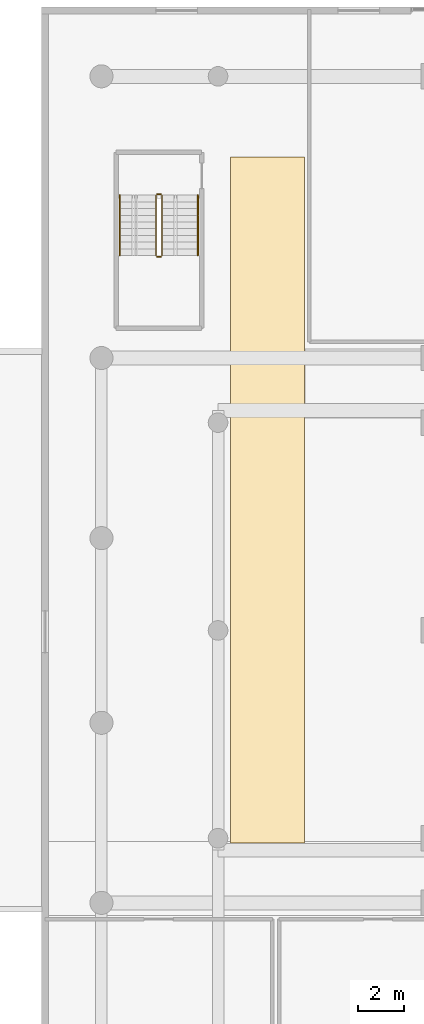
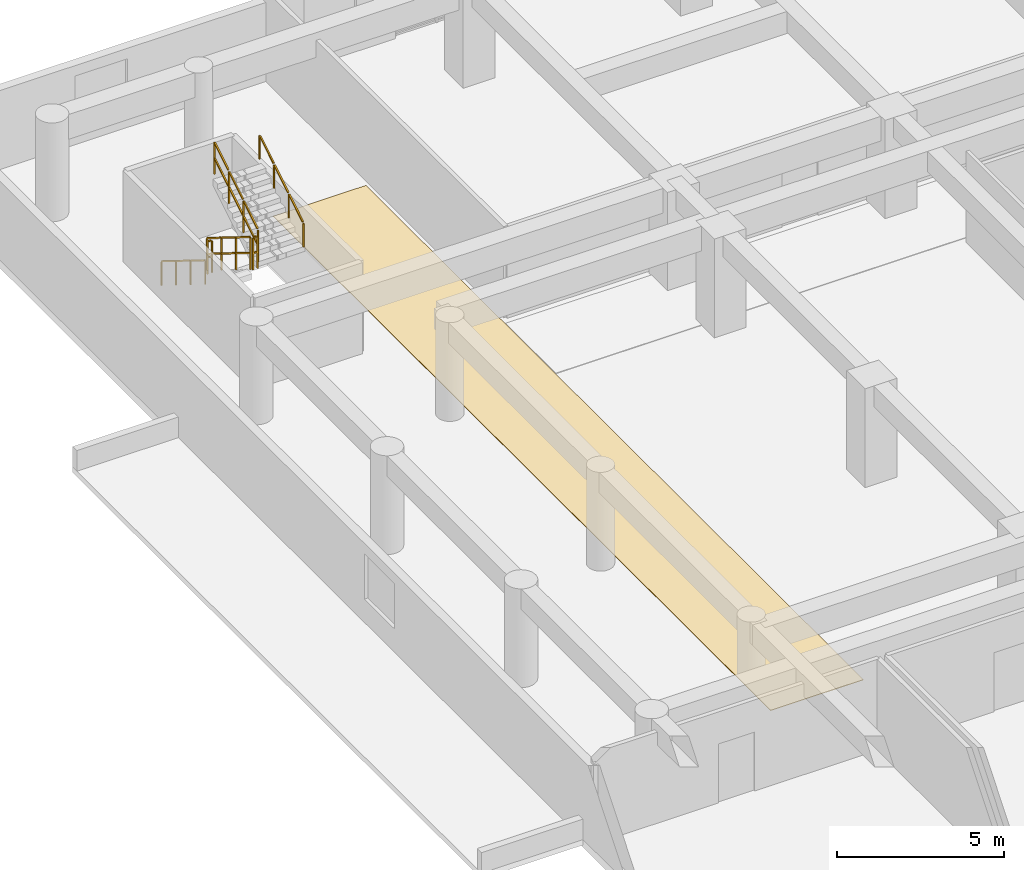
# One storey, part 24 of 27: 6 railings, 1 covering.
"""IFC4 building model written with IfcOpenShell, lengths in metres."""

from ifc_helpers import new_model, si_unit, direction, frame, origin, origin_2d, place, context, subcontext, project, spatial, polyline, rectangle, outline, extrude, material, layer, layer_set, type_object, element, save


model = new_model("IFC4")

# Units and contexts
model_context = context("Model", 3, precision=1e-05, world=origin(), true_north=direction((0.0, 1.0)))
body_context = subcontext(model_context, "Body", "Model", "MODEL_VIEW")
ifc_project = project(units=[si_unit("LENGTHUNIT", "METRE"), si_unit("AREAUNIT", "SQUARE_METRE"), si_unit("VOLUMEUNIT", "CUBIC_METRE"), si_unit("PLANEANGLEUNIT", "RADIAN"), si_unit("MASSUNIT", "GRAM", prefix="KILO")], contexts=[model_context])

# Site, building, storey
site_placement = place(None, origin())
site = spatial("IfcSite", under=ifc_project, at=site_placement, CompositionType="ELEMENT")
building_placement = place(site_placement, origin())
building = spatial("IfcBuilding", under=site, at=building_placement, Name="Saelheon Loggia Tower", CompositionType="ELEMENT")
storey_placement = place(building_placement, frame((0.0, 0.0, 4.199951171875)))
storey = spatial("IfcBuildingStorey", under=building, at=storey_placement, Name="L01", CompositionType="ELEMENT", Elevation=4.199951171875)

# Covering
ifc_material_1 = material(Name="Vitrified Porcelain Floor Tile", Category="ceramic")
ifc_layer = layer(ifc_material_1, 0.02001953125)
ifc_layer_set = layer_set([ifc_layer], Name="Vitrified Porcelain Floor Tile")
covering_type = type_object("IfcCoveringType", Name="Cov_Floor_Porcelain", PredefinedType="FLOORING", material=ifc_layer_set)
covering_placement = place(storey_placement, origin())
element("IfcCovering", 1, at=covering_placement, inside=storey, type_object=covering_type, Name="L01 Corridor Porcelain Flooring", PredefinedType="FLOORING", context=body_context, shape_type="SweptSolid", body=[
    extrude(outline(polyline([(8.199951171875, 17.800048828125), (11.39990234375, 17.800048828125), (11.39990234375, 47.5), (8.199951171875, 47.5), (8.199951171875, 17.800048828125)])), origin(), (0.0, 0.0, 1.0), 0.02001953125),
])

# Railings
ifc_material_2 = material(Name="Galvanised Steel S275 Stairwell Guardrail", Category="steel")
railing_type_1 = type_object("IfcRailingType", Name="Guard_StairWell_RL_STG", PredefinedType="GUARDRAIL", material=ifc_material_2)
railing_1_placement = place(storey_placement, frame((4.9599609375, 45.85009765625, 0.179931640625)))
element("IfcRailing", 2, at=railing_1_placement, inside=storey, type_object=railing_type_1, Name="L01 ST3 stair guard 1", PredefinedType="GUARDRAIL", context=body_context, shape_type="SweptSolid", body=[
    extrude(rectangle(XDim=0.048095703125, YDim=0.048095703125, at=origin_2d()), frame((0.0, -0.0283203125, 1.193359375), z_axis=(0.0, -0.849632798774, 0.527374731332), x_axis=(1.0, 0.0, 0.0)), (0.0, 0.0, 1.0), 0.95751953125),
    extrude(rectangle(XDim=0.048095703125, YDim=0.048095703125, at=origin_2d()), frame((0.0, -0.0283203125, 0.617431640625), z_axis=(0.0, -0.849632798774, 0.527374731332), x_axis=(1.0, 0.0, 0.0)), (0.0, 0.0, 1.0), 0.95751953125),
    extrude(rectangle(XDim=0.048095703125, YDim=0.048095703125, at=origin_2d()), frame((0.0, -0.898193359375, 1.7333984375), z_axis=(0.0, -0.849632798774, 0.527374731332), x_axis=(1.0, 0.0, 0.0)), (0.0, 0.0, 1.0), 0.95751953125),
    extrude(rectangle(XDim=0.048095703125, YDim=0.048095703125, at=origin_2d()), frame((0.0, -0.898193359375, 1.157470703125), z_axis=(0.0, -0.849632798774, 0.527374731332), x_axis=(1.0, 0.0, 0.0)), (0.0, 0.0, 1.0), 0.95751953125),
    extrude(rectangle(XDim=0.048095703125, YDim=0.048095703125, at=origin_2d()), frame((0.0, -1.768310546875, 2.2734375), z_axis=(0.0, -0.849632798774, 0.527374731332), x_axis=(1.0, 0.0, 0.0)), (0.0, 0.0, 1.0), 0.95751953125),
    extrude(rectangle(XDim=0.048095703125, YDim=0.048095703125, at=origin_2d()), frame((0.0, -1.768310546875, 1.697509765625), z_axis=(0.0, -0.849632798774, 0.527374731332), x_axis=(1.0, 0.0, 0.0)), (0.0, 0.0, 1.0), 0.95751953125),
    extrude(rectangle(XDim=0.0419921875, YDim=0.0419921875, at=origin_2d()), origin(), (0.0, 0.0, 1.0), 1.14794921875),
    extrude(rectangle(XDim=0.0419921875, YDim=0.0419921875, at=origin_2d()), frame((0.0, -0.8701171875, 0.5400390625)), (0.0, 0.0, 1.0), 1.14794921875),
    extrude(rectangle(XDim=0.0419921875, YDim=0.0419921875, at=origin_2d()), frame((0.0, -1.739990234375, 1.080078125)), (0.0, 0.0, 1.0), 1.14794921875),
    extrude(rectangle(XDim=0.0419921875, YDim=0.0419921875, at=origin_2d()), frame((0.0, -2.610107421875, 1.6201171875)), (0.0, 0.0, 1.0), 1.14794921875),
])
railing_2_placement = place(storey_placement, frame((5.010009765625, 43.18994140625, 1.800048828125)))
element("IfcRailing", 3, at=railing_2_placement, inside=storey, type_object=railing_type_1, Name="L01 ST3 stair guard 2", PredefinedType="GUARDRAIL", context=body_context, shape_type="SweptSolid", body=[
    extrude(rectangle(XDim=0.048095703125, YDim=0.048095703125, at=origin_2d()), frame((0.033203125, 0.0, 1.17578125), z_axis=(1.0, 0.0, 0.0), x_axis=(0.0, 1.0, 0.0)), (0.0, 0.0, 1.0), 0.093505859375),
    extrude(rectangle(XDim=0.048095703125, YDim=0.048095703125, at=origin_2d()), frame((0.033203125, 0.0, 0.60009765625), z_axis=(1.0, 0.0, 0.0), x_axis=(0.0, 1.0, 0.0)), (0.0, 0.0, 1.0), 0.093505859375),
    extrude(rectangle(XDim=0.0419921875, YDim=0.0419921875, at=origin_2d()), origin(), (0.0, 0.0, 1.0), 1.14794921875),
    extrude(rectangle(XDim=0.0419921875, YDim=0.0419921875, at=origin_2d()), frame((0.159912109375, 0.0, 0.0)), (0.0, 0.0, 1.0), 1.14794921875),
])
railing_3_placement = place(storey_placement, frame((5.219970703125, 43.239990234375, 1.97998046875)))
element("IfcRailing", 4, at=railing_3_placement, inside=storey, type_object=railing_type_1, Name="L01 ST3 stair guard 3", PredefinedType="GUARDRAIL", context=body_context, shape_type="SweptSolid", body=[
    extrude(rectangle(XDim=0.048095703125, YDim=0.048095703125, at=origin_2d()), frame((0.0, 0.0283203125, 1.193359375), z_axis=(0.0, 0.849632798774, 0.527374731332), x_axis=(-1.0, 0.0, 0.0)), (0.0, 0.0, 1.0), 0.95751953125),
    extrude(rectangle(XDim=0.048095703125, YDim=0.048095703125, at=origin_2d()), frame((0.0, 0.0283203125, 0.617431640625), z_axis=(0.0, 0.849632798774, 0.527374731332), x_axis=(-1.0, 0.0, 0.0)), (0.0, 0.0, 1.0), 0.95751953125),
    extrude(rectangle(XDim=0.048095703125, YDim=0.048095703125, at=origin_2d()), frame((0.0, 0.898193359375, 1.7333984375), z_axis=(0.0, 0.849632798774, 0.527374731332), x_axis=(-1.0, 0.0, 0.0)), (0.0, 0.0, 1.0), 0.95751953125),
    extrude(rectangle(XDim=0.048095703125, YDim=0.048095703125, at=origin_2d()), frame((0.0, 0.898193359375, 1.157470703125), z_axis=(0.0, 0.849632798774, 0.527374731332), x_axis=(-1.0, 0.0, 0.0)), (0.0, 0.0, 1.0), 0.95751953125),
    extrude(rectangle(XDim=0.048095703125, YDim=0.048095703125, at=origin_2d()), frame((0.0, 1.768310546875, 2.2734375), z_axis=(0.0, 0.849632798774, 0.527374731332), x_axis=(-1.0, 0.0, 0.0)), (0.0, 0.0, 1.0), 0.95751953125),
    extrude(rectangle(XDim=0.048095703125, YDim=0.048095703125, at=origin_2d()), frame((0.0, 1.768310546875, 1.697509765625), z_axis=(0.0, 0.849632798774, 0.527374731332), x_axis=(-1.0, 0.0, 0.0)), (0.0, 0.0, 1.0), 0.95751953125),
    extrude(rectangle(XDim=0.0419921875, YDim=0.0419921875, at=origin_2d()), origin(), (0.0, 0.0, 1.0), 1.14794921875),
    extrude(rectangle(XDim=0.0419921875, YDim=0.0419921875, at=origin_2d()), frame((0.0, 0.8701171875, 0.5400390625)), (0.0, 0.0, 1.0), 1.14794921875),
    extrude(rectangle(XDim=0.0419921875, YDim=0.0419921875, at=origin_2d()), frame((0.0, 1.739990234375, 1.080078125)), (0.0, 0.0, 1.0), 1.14794921875),
    extrude(rectangle(XDim=0.0419921875, YDim=0.0419921875, at=origin_2d()), frame((0.0, 2.610107421875, 1.6201171875)), (0.0, 0.0, 1.0), 1.14794921875),
])
railing_4_placement = place(storey_placement, frame((5.010009765625, 45.89990234375, 0.0)))
element("IfcRailing", 5, at=railing_4_placement, inside=storey, type_object=railing_type_1, Name="L01 ST3 stair guard 4", PredefinedType="GUARDRAIL", context=body_context, shape_type="SweptSolid", body=[
    extrude(rectangle(XDim=0.048095703125, YDim=0.048095703125, at=origin_2d()), frame((0.033203125, 0.0, 1.17578125), z_axis=(1.0, 0.0, 0.0), x_axis=(0.0, 1.0, 0.0)), (0.0, 0.0, 1.0), 0.093505859375),
    extrude(rectangle(XDim=0.048095703125, YDim=0.048095703125, at=origin_2d()), frame((0.033203125, 0.0, 0.60009765625), z_axis=(1.0, 0.0, 0.0), x_axis=(0.0, 1.0, 0.0)), (0.0, 0.0, 1.0), 0.093505859375),
    extrude(rectangle(XDim=0.0419921875, YDim=0.0419921875, at=origin_2d()), origin(), (0.0, 0.0, 1.0), 1.14794921875),
    extrude(rectangle(XDim=0.0419921875, YDim=0.0419921875, at=origin_2d()), frame((0.159912109375, 0.0, 0.0)), (0.0, 0.0, 1.0), 1.14794921875),
])
ifc_material_3 = material(Name="Stainless Steel 304 Tubular Handrail", Category="steel")
railing_type_2 = type_object("IfcRailingType", Name="Handrail_Stair_RL_HR1", PredefinedType="HANDRAIL", material=ifc_material_3)
railing_5_placement = place(storey_placement, frame((3.39990234375, 45.85009765625, 0.179931640625)))
element("IfcRailing", 6, at=railing_5_placement, inside=storey, type_object=railing_type_2, Name="L01 ST3 stair handrail 1", PredefinedType="HANDRAIL", context=body_context, shape_type="SweptSolid", body=[
    extrude(rectangle(XDim=0.048095703125, YDim=0.048095703125, at=origin_2d()), frame((0.0, -0.0283203125, 0.893310546875), z_axis=(0.0, -0.849632798774, 0.527374731332), x_axis=(1.0, 0.0, 0.0)), (0.0, 0.0, 1.0), 0.95751953125),
    extrude(rectangle(XDim=0.048095703125, YDim=0.048095703125, at=origin_2d()), frame((0.0, -0.898193359375, 1.433349609375), z_axis=(0.0, -0.849632798774, 0.527374731332), x_axis=(1.0, 0.0, 0.0)), (0.0, 0.0, 1.0), 0.95751953125),
    extrude(rectangle(XDim=0.048095703125, YDim=0.048095703125, at=origin_2d()), frame((0.0, -1.768310546875, 1.973388671875), z_axis=(0.0, -0.849632798774, 0.527374731332), x_axis=(1.0, 0.0, 0.0)), (0.0, 0.0, 1.0), 0.95751953125),
    extrude(rectangle(XDim=0.0419921875, YDim=0.0419921875, at=origin_2d()), origin(), (0.0, 0.0, 1.0), 0.847900390625),
    extrude(rectangle(XDim=0.0419921875, YDim=0.0419921875, at=origin_2d()), frame((0.0, -0.8701171875, 0.5400390625)), (0.0, 0.0, 1.0), 0.847900390625),
    extrude(rectangle(XDim=0.0419921875, YDim=0.0419921875, at=origin_2d()), frame((0.0, -1.739990234375, 1.080078125)), (0.0, 0.0, 1.0), 0.847900390625),
    extrude(rectangle(XDim=0.0419921875, YDim=0.0419921875, at=origin_2d()), frame((0.0, -2.610107421875, 1.6201171875)), (0.0, 0.0, 1.0), 0.847900390625),
])
railing_6_placement = place(storey_placement, frame((6.780029296875, 43.239990234375, 1.97998046875)))
element("IfcRailing", 7, at=railing_6_placement, inside=storey, type_object=railing_type_2, Name="L01 ST3 stair handrail 2", PredefinedType="HANDRAIL", context=body_context, shape_type="SweptSolid", body=[
    extrude(rectangle(XDim=0.048095703125, YDim=0.048095703125, at=origin_2d()), frame((0.0, 0.0283203125, 0.893310546875), z_axis=(0.0, 0.849632798774, 0.527374731332), x_axis=(-1.0, 0.0, 0.0)), (0.0, 0.0, 1.0), 0.95751953125),
    extrude(rectangle(XDim=0.048095703125, YDim=0.048095703125, at=origin_2d()), frame((0.0, 0.898193359375, 1.433349609375), z_axis=(0.0, 0.849632798774, 0.527374731332), x_axis=(-1.0, 0.0, 0.0)), (0.0, 0.0, 1.0), 0.95751953125),
    extrude(rectangle(XDim=0.048095703125, YDim=0.048095703125, at=origin_2d()), frame((0.0, 1.768310546875, 1.973388671875), z_axis=(0.0, 0.849632798774, 0.527374731332), x_axis=(-1.0, 0.0, 0.0)), (0.0, 0.0, 1.0), 0.95751953125),
    extrude(rectangle(XDim=0.0419921875, YDim=0.0419921875, at=origin_2d()), origin(), (0.0, 0.0, 1.0), 0.847900390625),
    extrude(rectangle(XDim=0.0419921875, YDim=0.0419921875, at=origin_2d()), frame((0.0, 0.8701171875, 0.5400390625)), (0.0, 0.0, 1.0), 0.847900390625),
    extrude(rectangle(XDim=0.0419921875, YDim=0.0419921875, at=origin_2d()), frame((0.0, 1.739990234375, 1.080078125)), (0.0, 0.0, 1.0), 0.847900390625),
    extrude(rectangle(XDim=0.0419921875, YDim=0.0419921875, at=origin_2d()), frame((0.0, 2.610107421875, 1.6201171875)), (0.0, 0.0, 1.0), 0.847900390625),
])

save(model, "model.ifc")
